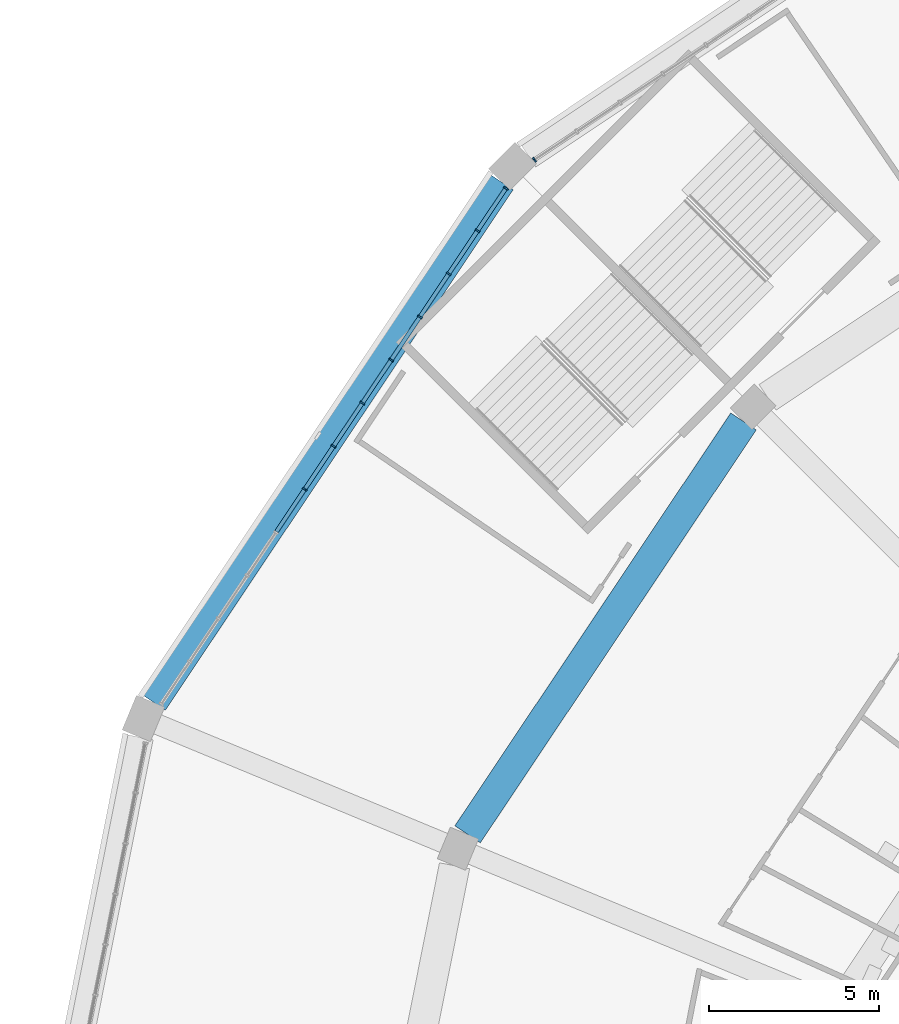
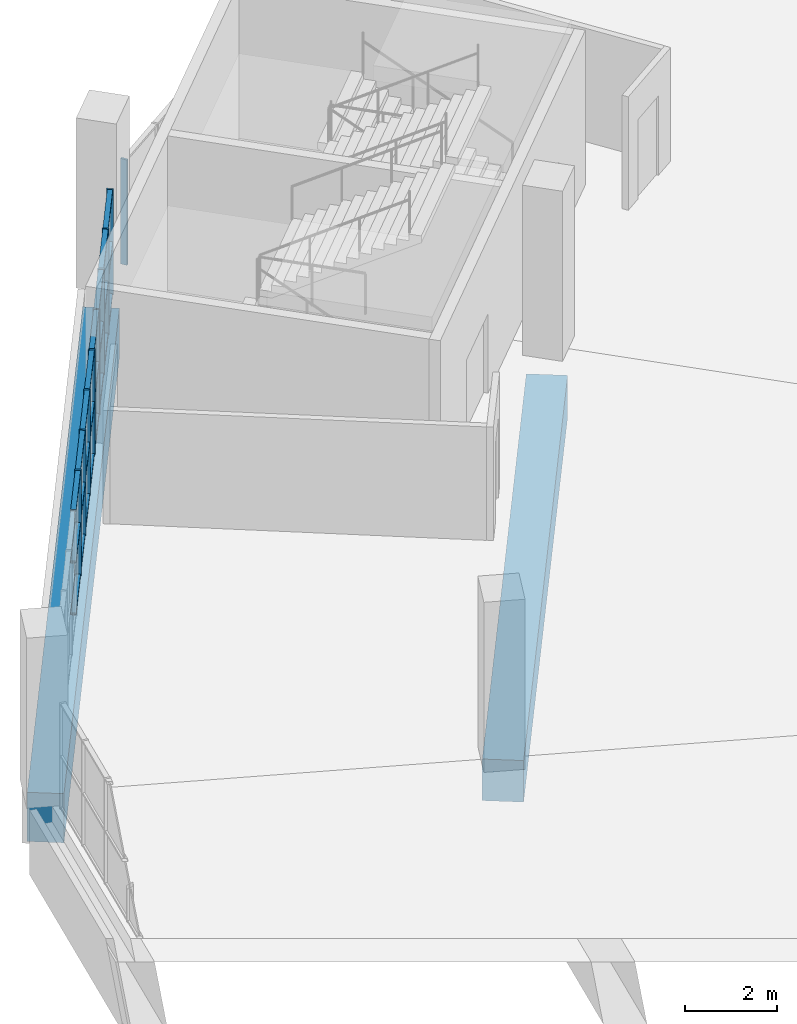
# One storey, part 39 of 199: 33 members, 2 beams, 2 elements without a shape of their own.
"""IFC4 building model written with IfcOpenShell, lengths in metres."""

from ifc_helpers import new_model, si_unit, direction, frame, origin, origin_2d, place, context, subcontext, project, spatial, rectangle, extrude, material, material_profile, profile_set, type_object, element, aggregate, save


model = new_model("IFC4")

# Units and contexts
model_context = context("Model", 3, precision=1e-05, world=origin(), true_north=direction((0.0, 1.0)))
body_context = subcontext(model_context, "Body", "Model", "MODEL_VIEW")
ifc_project = project(units=[si_unit("LENGTHUNIT", "METRE"), si_unit("AREAUNIT", "SQUARE_METRE"), si_unit("VOLUMEUNIT", "CUBIC_METRE"), si_unit("PLANEANGLEUNIT", "RADIAN"), si_unit("MASSUNIT", "GRAM", prefix="KILO")], contexts=[model_context])

# Site, building, storey
site_placement = place(None, origin())
site = spatial("IfcSite", under=ifc_project, at=site_placement, CompositionType="ELEMENT")
building_placement = place(site_placement, origin())
building = spatial("IfcBuilding", under=site, at=building_placement, Name="Ogive Plaza Stadium", CompositionType="ELEMENT")
storey_placement = place(building_placement, frame((0.0, 0.0, 4.5)))
storey = spatial("IfcBuildingStorey", under=building, at=storey_placement, Name="L01", CompositionType="ELEMENT", Elevation=4.5)

# Curtain wall, members
ifc_material_1 = material(Name="Bronze-anodised aluminium with laminated glass", Category="aluminium")
curtain_wall_type = type_object("IfcCurtainWallType", Name="Lancet curtain wall", PredefinedType="NOTDEFINED", material=ifc_material_1)
curtain_wall_1_placement = place(storey_placement, origin())
curtain_wall_1 = element("IfcCurtainWall", 1, at=curtain_wall_1_placement, inside=storey, type_object=curtain_wall_type, Name="CURTAIN WALL B29 L01", PredefinedType="NOTDEFINED")
ifc_material_2 = material(Name="Bronze-anodised aluminium", Category="aluminium")
ifc_material_profile_1 = material_profile(ifc_material_2, rectangle(XDim=0.14990234375, YDim=0.050048828125, at=origin_2d()), Name="AL 150x50")
ifc_profile_set_1 = profile_set([ifc_material_profile_1], Name="Bronze-anodised aluminium")
member_type_1 = type_object("IfcMemberType", Name="Curtain wall mullion 50x150", PredefinedType="MULLION", material=ifc_profile_set_1)
member_1_placement = place(storey_placement, frame((-75.4541015625, 78.367919921875, 0.0), z_axis=(0.0, 0.0, 1.0), x_axis=(-0.831469612303, 0.55557023302, 0.0)))
member_1 = element("IfcMember", 2, at=member_1_placement, type_object=member_type_1, Name="CW-B29-L01 mullion 6", PredefinedType="MULLION", context=body_context, shape_type="SweptSolid", body=[
    extrude(rectangle(XDim=0.14990234375, YDim=0.050048828125, at=origin_2d()), origin(), (0.0, 0.0, 1.0), 2.7900390625),
])
member_2_placement = place(storey_placement, frame((-74.6083984375, 79.633544921875, 0.0), z_axis=(0.0, 0.0, 1.0), x_axis=(-0.831469612303, 0.55557023302, 0.0)))
member_2 = element("IfcMember", 3, at=member_2_placement, type_object=member_type_1, Name="CW-B29-L01 mullion 7", PredefinedType="MULLION", context=body_context, shape_type="SweptSolid", body=[
    extrude(rectangle(XDim=0.14990234375, YDim=0.050048828125, at=origin_2d()), origin(), (0.0, 0.0, 1.0), 2.7900390625),
])
member_3_placement = place(storey_placement, frame((-73.7626953125, 80.8994140625, 0.0), z_axis=(0.0, 0.0, 1.0), x_axis=(-0.831469612303, 0.55557023302, 0.0)))
member_3 = element("IfcMember", 4, at=member_3_placement, type_object=member_type_1, Name="CW-B29-L01 mullion 8", PredefinedType="MULLION", context=body_context, shape_type="SweptSolid", body=[
    extrude(rectangle(XDim=0.14990234375, YDim=0.050048828125, at=origin_2d()), origin(), (0.0, 0.0, 1.0), 2.7900390625),
])
member_4_placement = place(storey_placement, frame((-72.916748046875, 82.165283203125, 0.0), z_axis=(0.0, 0.0, 1.0), x_axis=(-0.831469612303, 0.55557023302, 0.0)))
member_4 = element("IfcMember", 5, at=member_4_placement, type_object=member_type_1, Name="CW-B29-L01 mullion 9", PredefinedType="MULLION", context=body_context, shape_type="SweptSolid", body=[
    extrude(rectangle(XDim=0.14990234375, YDim=0.050048828125, at=origin_2d()), origin(), (0.0, 0.0, 1.0), 2.7900390625),
])
member_5_placement = place(storey_placement, frame((-72.071044921875, 83.430908203125, 0.0), z_axis=(0.0, 0.0, 1.0), x_axis=(-0.831469612303, 0.55557023302, 0.0)))
member_5 = element("IfcMember", 6, at=member_5_placement, type_object=member_type_1, Name="CW-B29-L01 mullion 10", PredefinedType="MULLION", context=body_context, shape_type="SweptSolid", body=[
    extrude(rectangle(XDim=0.14990234375, YDim=0.050048828125, at=origin_2d()), origin(), (0.0, 0.0, 1.0), 2.7900390625),
])
member_6_placement = place(storey_placement, frame((-71.225341796875, 84.69677734375, 0.0), z_axis=(0.0, 0.0, 1.0), x_axis=(-0.831469612303, 0.55557023302, 0.0)))
member_6 = element("IfcMember", 7, at=member_6_placement, type_object=member_type_1, Name="CW-B29-L01 mullion 11", PredefinedType="MULLION", context=body_context, shape_type="SweptSolid", body=[
    extrude(rectangle(XDim=0.14990234375, YDim=0.050048828125, at=origin_2d()), origin(), (0.0, 0.0, 1.0), 2.7900390625),
])
member_7_placement = place(storey_placement, frame((-70.379638671875, 85.962646484375, 0.0), z_axis=(0.0, 0.0, 1.0), x_axis=(-0.831469612303, 0.55557023302, 0.0)))
member_7 = element("IfcMember", 8, at=member_7_placement, type_object=member_type_1, Name="CW-B29-L01 mullion 12", PredefinedType="MULLION", context=body_context, shape_type="SweptSolid", body=[
    extrude(rectangle(XDim=0.14990234375, YDim=0.050048828125, at=origin_2d()), origin(), (0.0, 0.0, 1.0), 2.7900390625),
])
member_8_placement = place(storey_placement, frame((-69.547607421875, 87.20751953125, 0.0), z_axis=(0.0, 0.0, 1.0), x_axis=(-0.831469612303, 0.55557023302, 0.0)))
member_8 = element("IfcMember", 9, at=member_8_placement, type_object=member_type_1, Name="CW-B29-L01 mullion 13", PredefinedType="MULLION", context=body_context, shape_type="SweptSolid", body=[
    extrude(rectangle(XDim=0.14990234375, YDim=0.050048828125, at=origin_2d()), origin(), (0.0, 0.0, 1.0), 2.7900390625),
])

# Curtain wall, member
curtain_wall_2_placement = place(storey_placement, origin())
curtain_wall_2 = element("IfcCurtainWall", 10, at=curtain_wall_2_placement, inside=storey, type_object=curtain_wall_type, Name="CURTAIN WALL B30 L01", PredefinedType="NOTDEFINED")
member_9_placement = place(storey_placement, frame((-68.70751953125, 88.047607421875, 0.0), z_axis=(0.0, 0.0, 1.0), x_axis=(-0.55557023302, 0.831469612303, 0.0)))
member_9 = element("IfcMember", 11, at=member_9_placement, type_object=member_type_1, Name="CW-B30-L01 mullion 1", PredefinedType="MULLION", context=body_context, shape_type="SweptSolid", body=[
    extrude(rectangle(XDim=0.14990234375, YDim=0.050048828125, at=origin_2d()), origin(), (0.0, 0.0, 1.0), 2.7900390625),
])
aggregate(curtain_wall_2, [member_9])

# Member
ifc_material_3 = material(Name="Bronze-anodised aluminium", Category="aluminium")
ifc_material_profile_2 = material_profile(ifc_material_3, rectangle(XDim=0.1201171875, YDim=0.050048828125, at=origin_2d()), Name="AL 120x50")
ifc_profile_set_2 = profile_set([ifc_material_profile_2], Name="Bronze-anodised aluminium")
member_type_2 = type_object("IfcMemberType", Name="Curtain wall transom 50x120", PredefinedType="USERDEFINED", material=ifc_profile_set_2)
member_10_placement = place(storey_placement, frame((-76.2861328125, 77.122802734375, 0.02490234375), z_axis=(0.555579876157, 0.831463168883, 0.0), x_axis=(-0.831463168883, 0.555579876157, 0.0)))
member_10 = element("IfcMember", 12, at=member_10_placement, type_object=member_type_2, Name="CW-B29-L01 transom 5.1", ObjectType="TRANSOM", PredefinedType="USERDEFINED", context=body_context, shape_type="SweptSolid", body=[
    extrude(rectangle(XDim=0.1201171875, YDim=0.050048828125, at=origin_2d()), origin(), (0.0, 0.0, 1.0), 1.47265625),
])

member_11_placement = place(storey_placement, frame((-76.2861328125, 77.122802734375, 1.39501953125), z_axis=(0.555579876157, 0.831463168883, 0.0), x_axis=(-0.831463168883, 0.555579876157, 0.0)))
member_11 = element("IfcMember", 13, at=member_11_placement, type_object=member_type_2, Name="CW-B29-L01 transom 5.2", ObjectType="TRANSOM", PredefinedType="USERDEFINED", context=body_context, shape_type="SweptSolid", body=[
    extrude(rectangle(XDim=0.1201171875, YDim=0.050048828125, at=origin_2d()), origin(), (0.0, 0.0, 1.0), 1.47265625),
])

member_12_placement = place(storey_placement, frame((-76.2861328125, 77.122802734375, 2.764892578125), z_axis=(0.555579876157, 0.831463168883, 0.0), x_axis=(-0.831463168883, 0.555579876157, 0.0)))
member_12 = element("IfcMember", 14, at=member_12_placement, type_object=member_type_2, Name="CW-B29-L01 transom 5.3", ObjectType="TRANSOM", PredefinedType="USERDEFINED", context=body_context, shape_type="SweptSolid", body=[
    extrude(rectangle(XDim=0.1201171875, YDim=0.050048828125, at=origin_2d()), origin(), (0.0, 0.0, 1.0), 1.47265625),
])

member_13_placement = place(storey_placement, frame((-75.440185546875, 78.388671875, 0.02490234375), z_axis=(0.555541835587, 0.831488586159, 0.0), x_axis=(-0.831488586159, 0.555541835587, 0.0)))
member_13 = element("IfcMember", 15, at=member_13_placement, type_object=member_type_2, Name="CW-B29-L01 transom 6.1", ObjectType="TRANSOM", PredefinedType="USERDEFINED", context=body_context, shape_type="SweptSolid", body=[
    extrude(rectangle(XDim=0.1201171875, YDim=0.050048828125, at=origin_2d()), origin(), (0.0, 0.0, 1.0), 1.47216796875),
])

member_14_placement = place(storey_placement, frame((-75.440185546875, 78.388671875, 1.39501953125), z_axis=(0.555541835587, 0.831488586159, 0.0), x_axis=(-0.831488586159, 0.555541835587, 0.0)))
member_14 = element("IfcMember", 16, at=member_14_placement, type_object=member_type_2, Name="CW-B29-L01 transom 6.2", ObjectType="TRANSOM", PredefinedType="USERDEFINED", context=body_context, shape_type="SweptSolid", body=[
    extrude(rectangle(XDim=0.1201171875, YDim=0.050048828125, at=origin_2d()), origin(), (0.0, 0.0, 1.0), 1.47216796875),
])

member_15_placement = place(storey_placement, frame((-75.440185546875, 78.388671875, 2.764892578125), z_axis=(0.555541835587, 0.831488586159, 0.0), x_axis=(-0.831488586159, 0.555541835587, 0.0)))
member_15 = element("IfcMember", 17, at=member_15_placement, type_object=member_type_2, Name="CW-B29-L01 transom 6.3", ObjectType="TRANSOM", PredefinedType="USERDEFINED", context=body_context, shape_type="SweptSolid", body=[
    extrude(rectangle(XDim=0.1201171875, YDim=0.050048828125, at=origin_2d()), origin(), (0.0, 0.0, 1.0), 1.47216796875),
])

member_16_placement = place(storey_placement, frame((-74.594482421875, 79.654541015625, 0.02490234375), z_axis=(0.555656472512, 0.831411982446, 0.0), x_axis=(-0.831411982446, 0.555656472512, 0.0)))
member_16 = element("IfcMember", 18, at=member_16_placement, type_object=member_type_2, Name="CW-B29-L01 transom 7.1", ObjectType="TRANSOM", PredefinedType="USERDEFINED", context=body_context, shape_type="SweptSolid", body=[
    extrude(rectangle(XDim=0.1201171875, YDim=0.050048828125, at=origin_2d()), origin(), (0.0, 0.0, 1.0), 1.472412109375),
])

member_17_placement = place(storey_placement, frame((-74.594482421875, 79.654541015625, 1.39501953125), z_axis=(0.555656472512, 0.831411982446, 0.0), x_axis=(-0.831411982446, 0.555656472512, 0.0)))
member_17 = element("IfcMember", 19, at=member_17_placement, type_object=member_type_2, Name="CW-B29-L01 transom 7.2", ObjectType="TRANSOM", PredefinedType="USERDEFINED", context=body_context, shape_type="SweptSolid", body=[
    extrude(rectangle(XDim=0.1201171875, YDim=0.050048828125, at=origin_2d()), origin(), (0.0, 0.0, 1.0), 1.472412109375),
])

member_18_placement = place(storey_placement, frame((-74.594482421875, 79.654541015625, 2.764892578125), z_axis=(0.555656472512, 0.831411982446, 0.0), x_axis=(-0.831411982446, 0.555656472512, 0.0)))
member_18 = element("IfcMember", 20, at=member_18_placement, type_object=member_type_2, Name="CW-B29-L01 transom 7.3", ObjectType="TRANSOM", PredefinedType="USERDEFINED", context=body_context, shape_type="SweptSolid", body=[
    extrude(rectangle(XDim=0.1201171875, YDim=0.050048828125, at=origin_2d()), origin(), (0.0, 0.0, 1.0), 1.472412109375),
])

member_19_placement = place(storey_placement, frame((-73.748779296875, 80.920166015625, 0.02490234375), z_axis=(0.555579876157, 0.831463168883, 0.0), x_axis=(-0.831463168883, 0.555579876157, 0.0)))
member_19 = element("IfcMember", 21, at=member_19_placement, type_object=member_type_2, Name="CW-B29-L01 transom 8.1", ObjectType="TRANSOM", PredefinedType="USERDEFINED", context=body_context, shape_type="SweptSolid", body=[
    extrude(rectangle(XDim=0.1201171875, YDim=0.050048828125, at=origin_2d()), origin(), (0.0, 0.0, 1.0), 1.47265625),
])

member_20_placement = place(storey_placement, frame((-73.748779296875, 80.920166015625, 1.39501953125), z_axis=(0.555579876157, 0.831463168883, 0.0), x_axis=(-0.831463168883, 0.555579876157, 0.0)))
member_20 = element("IfcMember", 22, at=member_20_placement, type_object=member_type_2, Name="CW-B29-L01 transom 8.2", ObjectType="TRANSOM", PredefinedType="USERDEFINED", context=body_context, shape_type="SweptSolid", body=[
    extrude(rectangle(XDim=0.1201171875, YDim=0.050048828125, at=origin_2d()), origin(), (0.0, 0.0, 1.0), 1.47265625),
])

member_21_placement = place(storey_placement, frame((-73.748779296875, 80.920166015625, 2.764892578125), z_axis=(0.555579876157, 0.831463168883, 0.0), x_axis=(-0.831463168883, 0.555579876157, 0.0)))
member_21 = element("IfcMember", 23, at=member_21_placement, type_object=member_type_2, Name="CW-B29-L01 transom 8.3", ObjectType="TRANSOM", PredefinedType="USERDEFINED", context=body_context, shape_type="SweptSolid", body=[
    extrude(rectangle(XDim=0.1201171875, YDim=0.050048828125, at=origin_2d()), origin(), (0.0, 0.0, 1.0), 1.47265625),
])

member_22_placement = place(storey_placement, frame((-72.90283203125, 82.18603515625, 0.02490234375), z_axis=(0.555541835587, 0.831488586159, 0.0), x_axis=(-0.831488586159, 0.555541835587, 0.0)))
member_22 = element("IfcMember", 24, at=member_22_placement, type_object=member_type_2, Name="CW-B29-L01 transom 9.1", ObjectType="TRANSOM", PredefinedType="USERDEFINED", context=body_context, shape_type="SweptSolid", body=[
    extrude(rectangle(XDim=0.1201171875, YDim=0.050048828125, at=origin_2d()), origin(), (0.0, 0.0, 1.0), 1.47216796875),
])

member_23_placement = place(storey_placement, frame((-72.90283203125, 82.18603515625, 1.39501953125), z_axis=(0.555541835587, 0.831488586159, 0.0), x_axis=(-0.831488586159, 0.555541835587, 0.0)))
member_23 = element("IfcMember", 25, at=member_23_placement, type_object=member_type_2, Name="CW-B29-L01 transom 9.2", ObjectType="TRANSOM", PredefinedType="USERDEFINED", context=body_context, shape_type="SweptSolid", body=[
    extrude(rectangle(XDim=0.1201171875, YDim=0.050048828125, at=origin_2d()), origin(), (0.0, 0.0, 1.0), 1.47216796875),
])

member_24_placement = place(storey_placement, frame((-72.90283203125, 82.18603515625, 2.764892578125), z_axis=(0.555541835587, 0.831488586159, 0.0), x_axis=(-0.831488586159, 0.555541835587, 0.0)))
member_24 = element("IfcMember", 26, at=member_24_placement, type_object=member_type_2, Name="CW-B29-L01 transom 9.3", ObjectType="TRANSOM", PredefinedType="USERDEFINED", context=body_context, shape_type="SweptSolid", body=[
    extrude(rectangle(XDim=0.1201171875, YDim=0.050048828125, at=origin_2d()), origin(), (0.0, 0.0, 1.0), 1.47216796875),
])

member_25_placement = place(storey_placement, frame((-72.05712890625, 83.45166015625, 0.02490234375), z_axis=(0.555465240925, 0.83153975619, 0.0), x_axis=(-0.83153975619, 0.555465240925, 0.0)))
member_25 = element("IfcMember", 27, at=member_25_placement, type_object=member_type_2, Name="CW-B29-L01 transom 10.1", ObjectType="TRANSOM", PredefinedType="USERDEFINED", context=body_context, shape_type="SweptSolid", body=[
    extrude(rectangle(XDim=0.1201171875, YDim=0.050048828125, at=origin_2d()), origin(), (0.0, 0.0, 1.0), 1.472412109375),
])

member_26_placement = place(storey_placement, frame((-72.05712890625, 83.45166015625, 1.39501953125), z_axis=(0.555465240925, 0.83153975619, 0.0), x_axis=(-0.83153975619, 0.555465240925, 0.0)))
member_26 = element("IfcMember", 28, at=member_26_placement, type_object=member_type_2, Name="CW-B29-L01 transom 10.2", ObjectType="TRANSOM", PredefinedType="USERDEFINED", context=body_context, shape_type="SweptSolid", body=[
    extrude(rectangle(XDim=0.1201171875, YDim=0.050048828125, at=origin_2d()), origin(), (0.0, 0.0, 1.0), 1.472412109375),
])

member_27_placement = place(storey_placement, frame((-72.05712890625, 83.45166015625, 2.764892578125), z_axis=(0.555465240925, 0.83153975619, 0.0), x_axis=(-0.83153975619, 0.555465240925, 0.0)))
member_27 = element("IfcMember", 29, at=member_27_placement, type_object=member_type_2, Name="CW-B29-L01 transom 10.3", ObjectType="TRANSOM", PredefinedType="USERDEFINED", context=body_context, shape_type="SweptSolid", body=[
    extrude(rectangle(XDim=0.1201171875, YDim=0.050048828125, at=origin_2d()), origin(), (0.0, 0.0, 1.0), 1.472412109375),
])

member_28_placement = place(storey_placement, frame((-71.21142578125, 84.717529296875, 0.02490234375), z_axis=(0.555656472512, 0.831411982446, 0.0), x_axis=(-0.831411982446, 0.555656472512, 0.0)))
member_28 = element("IfcMember", 30, at=member_28_placement, type_object=member_type_2, Name="CW-B29-L01 transom 11.1", ObjectType="TRANSOM", PredefinedType="USERDEFINED", context=body_context, shape_type="SweptSolid", body=[
    extrude(rectangle(XDim=0.1201171875, YDim=0.050048828125, at=origin_2d()), origin(), (0.0, 0.0, 1.0), 1.472412109375),
])

member_29_placement = place(storey_placement, frame((-71.21142578125, 84.717529296875, 1.39501953125), z_axis=(0.555656472512, 0.831411982446, 0.0), x_axis=(-0.831411982446, 0.555656472512, 0.0)))
member_29 = element("IfcMember", 31, at=member_29_placement, type_object=member_type_2, Name="CW-B29-L01 transom 11.2", ObjectType="TRANSOM", PredefinedType="USERDEFINED", context=body_context, shape_type="SweptSolid", body=[
    extrude(rectangle(XDim=0.1201171875, YDim=0.050048828125, at=origin_2d()), origin(), (0.0, 0.0, 1.0), 1.472412109375),
])

member_30_placement = place(storey_placement, frame((-71.21142578125, 84.717529296875, 2.764892578125), z_axis=(0.555656472512, 0.831411982446, 0.0), x_axis=(-0.831411982446, 0.555656472512, 0.0)))
member_30 = element("IfcMember", 32, at=member_30_placement, type_object=member_type_2, Name="CW-B29-L01 transom 11.3", ObjectType="TRANSOM", PredefinedType="USERDEFINED", context=body_context, shape_type="SweptSolid", body=[
    extrude(rectangle(XDim=0.1201171875, YDim=0.050048828125, at=origin_2d()), origin(), (0.0, 0.0, 1.0), 1.472412109375),
])

member_31_placement = place(storey_placement, frame((-70.36572265625, 85.9833984375, 0.02490234375), z_axis=(0.555634077892, 0.831426948977, 0.0), x_axis=(-0.831426948977, 0.555634077892, 0.0)))
member_31 = element("IfcMember", 33, at=member_31_placement, type_object=member_type_2, Name="CW-B29-L01 transom 12.1", ObjectType="TRANSOM", PredefinedType="USERDEFINED", context=body_context, shape_type="SweptSolid", body=[
    extrude(rectangle(XDim=0.1201171875, YDim=0.050048828125, at=origin_2d()), origin(), (0.0, 0.0, 1.0), 1.447265625),
])

member_32_placement = place(storey_placement, frame((-70.36572265625, 85.9833984375, 1.39501953125), z_axis=(0.555634077892, 0.831426948977, 0.0), x_axis=(-0.831426948977, 0.555634077892, 0.0)))
member_32 = element("IfcMember", 34, at=member_32_placement, type_object=member_type_2, Name="CW-B29-L01 transom 12.2", ObjectType="TRANSOM", PredefinedType="USERDEFINED", context=body_context, shape_type="SweptSolid", body=[
    extrude(rectangle(XDim=0.1201171875, YDim=0.050048828125, at=origin_2d()), origin(), (0.0, 0.0, 1.0), 1.447265625),
])

member_33_placement = place(storey_placement, frame((-70.36572265625, 85.9833984375, 2.764892578125), z_axis=(0.555634077892, 0.831426948977, 0.0), x_axis=(-0.831426948977, 0.555634077892, 0.0)))
member_33 = element("IfcMember", 35, at=member_33_placement, type_object=member_type_2, Name="CW-B29-L01 transom 12.3", ObjectType="TRANSOM", PredefinedType="USERDEFINED", context=body_context, shape_type="SweptSolid", body=[
    extrude(rectangle(XDim=0.1201171875, YDim=0.050048828125, at=origin_2d()), origin(), (0.0, 0.0, 1.0), 1.447265625),
])

aggregate(curtain_wall_1, [member_1, member_2, member_3, member_4, member_5, member_6, member_7, member_8, member_10, member_11, member_12, member_13, member_14, member_15, member_16, member_17, member_18, member_19, member_20, member_21, member_22, member_23, member_24, member_25, member_26, member_27, member_28, member_29, member_30, member_31, member_32, member_33])

# Beams
ifc_material_4 = material(Name="Concrete C40/50", Category="concrete")
ifc_material_profile_3 = material_profile(ifc_material_4, rectangle(XDim=0.89990234375, YDim=1.10009765625, at=origin_2d()), Name="RC 900x1100")
ifc_profile_set_3 = profile_set([ifc_material_profile_3], Name="Concrete C40/50")
beam_type_1 = type_object("IfcBeamType", Name="RC ring beam 900x1100", PredefinedType="BEAM", material=ifc_profile_set_3)
beam_1_placement = place(storey_placement, frame((-70.671875, 68.231201171875, -0.9599609375), z_axis=(0.555572744827, 0.831467933961, 0.0), x_axis=(-0.831467933961, 0.555572744827, 0.0)))
element("IfcBeam", 36, at=beam_1_placement, inside=storey, type_object=beam_type_1, Name="Ring beam F4 L01 B29", PredefinedType="BEAM", context=body_context, shape_type="SweptSolid", body=[
    extrude(rectangle(XDim=0.89990234375, YDim=1.10009765625, at=origin_2d()), origin(), (0.0, 0.0, 1.0), 14.587646484375),
])
ifc_material_5 = material(Name="Concrete C40/50", Category="concrete")
ifc_material_profile_4 = material_profile(ifc_material_5, rectangle(XDim=0.800048828125, YDim=1.300048828125, at=origin_2d()), Name="RC 800x1300")
ifc_profile_set_4 = profile_set([ifc_material_profile_4], Name="Concrete C40/50")
beam_type_2 = type_object("IfcBeamType", Name="RC spandrel beam 800x1300", PredefinedType="SPANDREL", material=ifc_profile_set_4)
beam_2_placement = place(storey_placement, frame((-79.88232421875, 72.100341796875, -1.06005859375), z_axis=(0.555557833169, 0.831477897484, 0.0), x_axis=(-0.831477897484, 0.555557833169, 0.0)))
element("IfcBeam", 37, at=beam_2_placement, inside=storey, type_object=beam_type_2, Name="Ring beam F5 L01 B29", PredefinedType="SPANDREL", context=body_context, shape_type="SweptSolid", body=[
    extrude(rectangle(XDim=0.800048828125, YDim=1.300048828125, at=origin_2d()), origin(), (0.0, 0.0, 1.0), 18.387451171875),
])

save(model, "model.ifc")
